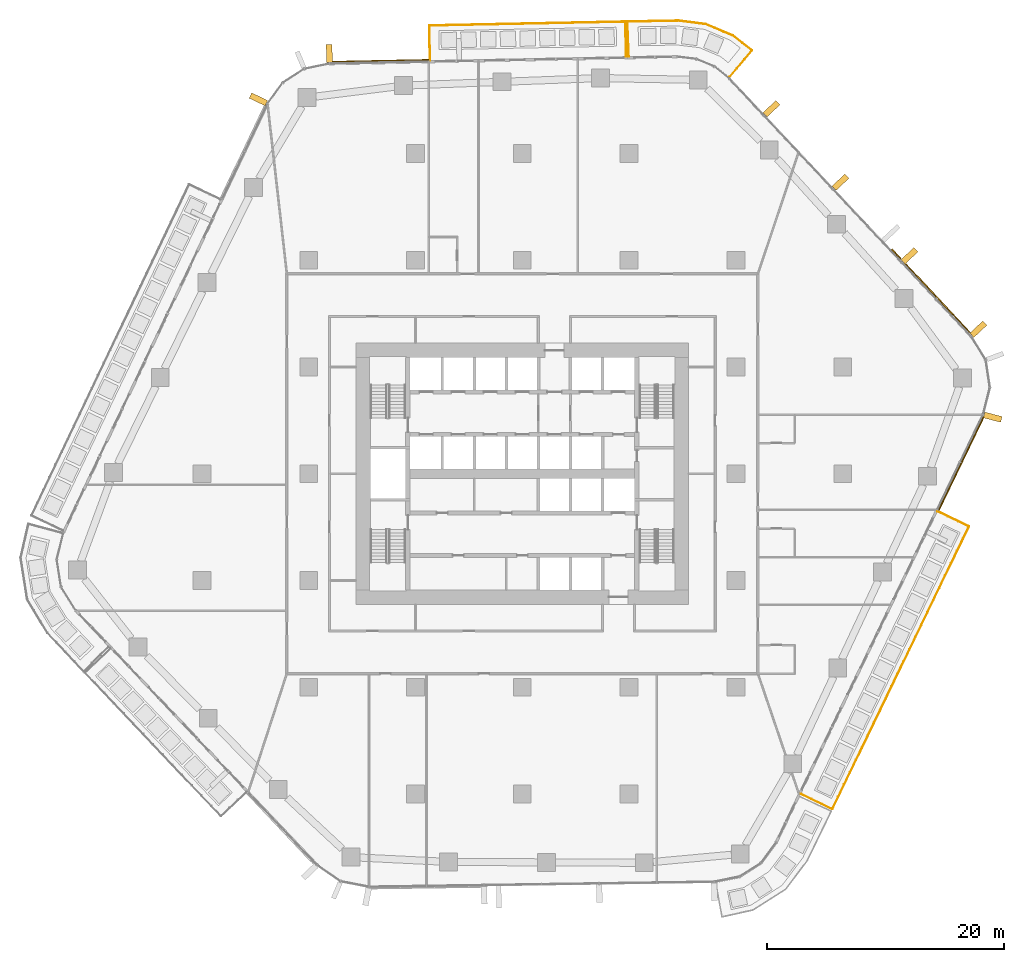
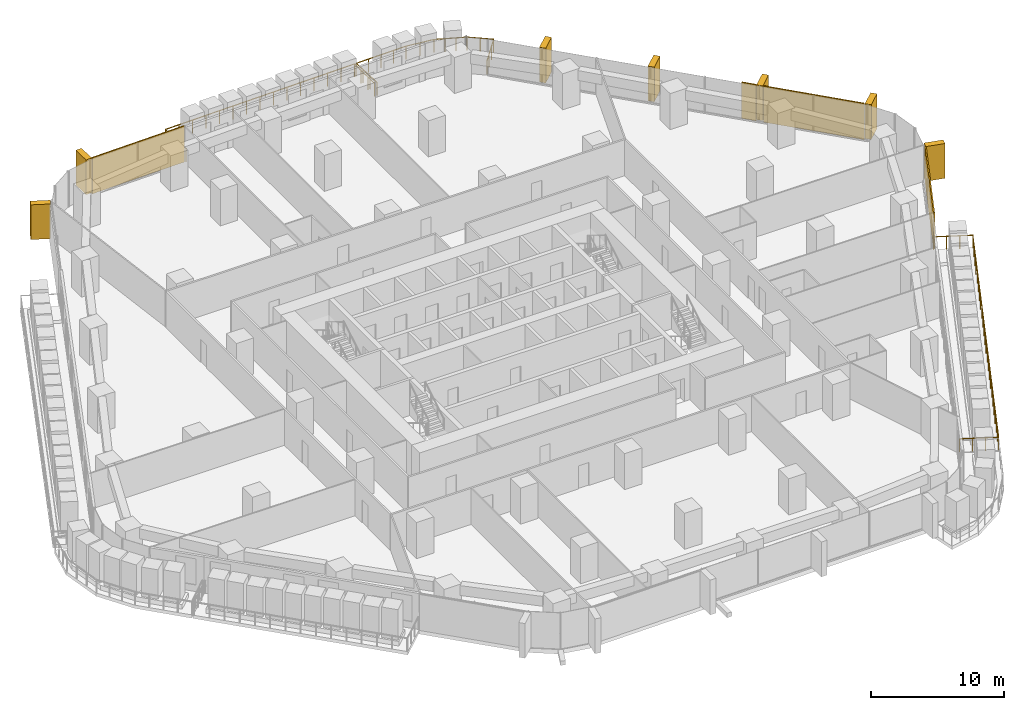
# One storey, part 24 of 24: 11 coverings, 3 railings, 5 elements without a shape of their own.
"""IFC4 building model written with IfcOpenShell, lengths in metres."""

import ifcopenshell
import ifcopenshell.guid

model = None  # the IFC model being written
_history = None  # IfcOwnerHistory: only IFC2X3 demands one
_inside = {}  # id of a spatial element -> (the spatial element, [elements in it])
_under = {}  # id of a project, library or spatial element -> (it, [spatial elements below it])
_declared = {}  # id of a project -> (the project, [libraries it declares])
_typed = {}  # id of a type object -> (the type object, [elements of that type])
_made_of = {}  # id of a material, layer set ... -> (it, [elements and type objects made of it])


def new_model(schema):
    """Start an empty IFC model of exactly this schema.

    Asked for "IFC4X3", IfcOpenShell would pick the latest addendum, in which some entities
    have other attributes; the version numbers below select the first issue.
    IFC2X3 requires an IfcOwnerHistory on every rooted entity: one is made here for all.
    """
    global model, _history
    if schema == "IFC4X3":
        model = ifcopenshell.file(schema_version=(4, 3, 0, 0))
    else:
        model = ifcopenshell.file(schema=schema)
    _inside.clear()
    _under.clear()
    _declared.clear()
    _typed.clear()
    _made_of.clear()
    _history = None
    if model.schema == "IFC2X3":
        org = make("IfcOrganization", Name="unknown")
        user = make(
            "IfcPersonAndOrganization",
            ThePerson=make("IfcPerson", FamilyName="unknown"),
            TheOrganization=org,
        )
        app = make(
            "IfcApplication",
            ApplicationDeveloper=org,
            Version="unknown",
            ApplicationFullName="unknown",
            ApplicationIdentifier="unknown",
        )
        _history = make(
            "IfcOwnerHistory",
            OwningUser=user,
            OwningApplication=app,
            ChangeAction="ADDED",
            CreationDate=0,
        )
    return model


def make(cls, **values):
    """One entity of the class cls with the attributes given. An attribute that is None is left unset."""
    return model.create_entity(
        cls, **{name: value for name, value in values.items() if value is not None}
    )


def rooted(cls, **values):
    """An entity with a GlobalId (a new one), such as an element, a storey or a relation."""
    return make(cls, GlobalId=ifcopenshell.guid.new(), OwnerHistory=_history, **values)


def si_unit(unit_type, name, prefix=None):
    """IfcSIUnit, for example si_unit("LENGTHUNIT", "METRE", prefix="MILLI")."""
    return make("IfcSIUnit", UnitType=unit_type, Prefix=prefix, Name=name)


def assignment(units):
    """IfcUnitAssignment: the units of a project."""
    return None if units is None else make("IfcUnitAssignment", Units=units)


def point(xyz):
    """IfcCartesianPoint."""
    return None if xyz is None else make("IfcCartesianPoint", Coordinates=xyz)


def direction(xyz):
    """IfcDirection."""
    return None if xyz is None else make("IfcDirection", DirectionRatios=xyz)


def frame(location, z_axis=None, x_axis=None):
    """IfcAxis2Placement3D, a coordinate frame: its origin and axes. An axis left out is left unset."""
    return make(
        "IfcAxis2Placement3D",
        Location=point(location),
        Axis=direction(z_axis),
        RefDirection=direction(x_axis),
    )


def frame_2d(location, x_axis=None):
    """IfcAxis2Placement2D, a coordinate frame in the plane: its origin and x axis."""
    return make(
        "IfcAxis2Placement2D", Location=point(location), RefDirection=direction(x_axis)
    )


def origin():
    """The frame at (0, 0, 0) with its axes left unset."""
    return frame((0.0, 0.0, 0.0))


def origin_2d():
    """The frame at (0, 0) in the plane with its x axis left unset."""
    return frame_2d((0.0, 0.0))


def place(relative_to, where):
    """IfcLocalPlacement: puts the frame where relative to a parent placement (None: the world)."""
    return make(
        "IfcLocalPlacement", PlacementRelTo=relative_to, RelativePlacement=where
    )


def context(
    kind, dimensions, precision=None, world=None, true_north=None, identifier=None
):
    """IfcGeometricRepresentationContext, for example the 3D "Model" context."""
    return make(
        "IfcGeometricRepresentationContext",
        ContextIdentifier=identifier,
        ContextType=kind,
        CoordinateSpaceDimension=dimensions,
        Precision=precision,
        WorldCoordinateSystem=world,
        TrueNorth=true_north,
    )


def subcontext(parent, identifier, kind, view, scale=None):
    """IfcGeometricRepresentationSubContext, for example "Body" below "Model"."""
    return make(
        "IfcGeometricRepresentationSubContext",
        ContextIdentifier=identifier,
        ContextType=kind,
        ParentContext=parent,
        TargetScale=scale,
        TargetView=view,
    )


def project(units=None, contexts=None):
    """IfcProject with its units and contexts."""
    return rooted(
        "IfcProject",
        Name="project",
        RepresentationContexts=contexts,
        UnitsInContext=assignment(units),
    )


def spatial(cls, under=None, at=None, **own):
    """A site, building, storey or space (cls), placed at a placement, below another one or the project."""
    s = rooted(cls, ObjectPlacement=at, **own)
    if under is not None:
        _under.setdefault(under.id(), (under, []))[1].append(s)
    return s


def profile(cls, at=None, kind="AREA", **sizes):
    """A parametric profile (cls). Its sizes go by their IFC names, for example OverallWidth=200.0."""
    return make(cls, ProfileType=kind, Position=at, **sizes)


def rectangle(**sizes):
    """IfcRectangleProfileDef."""
    return profile("IfcRectangleProfileDef", **sizes)


def circle(**sizes):
    """IfcCircleProfileDef."""
    return profile("IfcCircleProfileDef", **sizes)


def extrude(swept, where, along, depth):
    """IfcExtrudedAreaSolid: the profile swept, set in the frame where, extruded along a direction by depth."""
    return make(
        "IfcExtrudedAreaSolid",
        SweptArea=swept,
        Position=where,
        ExtrudedDirection=direction(along),
        Depth=depth,
    )


def shape(context_of_items, identifier, shape_type, items):
    """IfcShapeRepresentation: the items that make up one representation, for example the "Body"."""
    return make(
        "IfcShapeRepresentation",
        ContextOfItems=context_of_items,
        RepresentationIdentifier=identifier,
        RepresentationType=shape_type,
        Items=items,
    )


def material(Name=None, Category=None):
    """IfcMaterial."""
    return make("IfcMaterial", Name=Name, Category=Category)


def layer(
    of_material, thickness, ventilated=None, Name=None, Category=None, Priority=None
):
    """IfcMaterialLayer: one layer of a wall or slab, of a material (None: an air gap)."""
    return make(
        "IfcMaterialLayer",
        Material=of_material,
        LayerThickness=thickness,
        IsVentilated=ventilated,
        Name=Name,
        Category=Category,
        Priority=Priority,
    )


def layer_set(layers, Name=None):
    """IfcMaterialLayerSet."""
    return make("IfcMaterialLayerSet", MaterialLayers=layers, LayerSetName=Name)


def material_profile(
    of_material, cross_section, Name=None, Category=None, Priority=None
):
    """IfcMaterialProfile: a cross section and its material."""
    return make(
        "IfcMaterialProfile",
        Name=Name,
        Material=of_material,
        Profile=cross_section,
        Priority=Priority,
        Category=Category,
    )


def profile_set(profiles, Name=None, composite=None):
    """IfcMaterialProfileSet."""
    return make(
        "IfcMaterialProfileSet",
        Name=Name,
        MaterialProfiles=profiles,
        CompositeProfile=composite,
    )


def made_of(thing, what):
    """Note that an element or type object is made of a material, layer set ...; save() writes the relation."""
    if what is not None:
        _made_of.setdefault(what.id(), (what, []))[1].append(thing)
    return thing


def type_object(cls, material=None, **own):
    """A type object (cls), such as IfcWallType, which elements share."""
    return made_of(rooted(cls, **own), material)


def element(
    cls,
    number,
    at=None,
    inside=None,
    cuts=None,
    type_object=None,
    material=None,
    context=None,
    identifier="Body",
    shape_type=None,
    held_by="IfcProductDefinitionShape",
    body=None,
    shapes=None,
    **own,
):
    """One element of the class cls, such as IfcWall. Its Tag is "e" and its number.

    at: its placement. inside: the storey or other place that contains it. cuts: it is an
    opening in that element (IfcRelVoidsElement). A single representation is given by context,
    identifier, shape_type and body (its items); several are given by shapes. held_by: the class
    of the entity that holds the representations. save() writes the other relations.
    """
    e = rooted(cls, Tag="e%d" % number, ObjectPlacement=at, **own)
    if body is not None:
        shapes = [shape(context, identifier, shape_type, body)]
    if shapes is not None:
        e.Representation = make(held_by, Representations=shapes)
    if inside is not None:
        _inside.setdefault(inside.id(), (inside, []))[1].append(e)
    if cuts is not None:
        rooted(
            "IfcRelVoidsElement", RelatingBuildingElement=cuts, RelatedOpeningElement=e
        )
    if type_object is not None:
        _typed.setdefault(type_object.id(), (type_object, []))[1].append(e)
    return made_of(e, material)


def aggregate(whole, parts):
    """IfcRelAggregates: a whole, such as a stair, and the parts it consists of."""
    return rooted("IfcRelAggregates", RelatingObject=whole, RelatedObjects=parts)


def save(model, path):
    """Write the relations noted so far, then the file.

    IfcRelAggregates (storeys below a building ...), IfcRelContainedInSpatialStructure (elements
    in a storey), IfcRelDefinesByType, IfcRelAssociatesMaterial and IfcRelDeclares: one each for
    every whole, place, type object, material and project.
    """
    for whole, parts in _under.values():
        aggregate(whole, parts)
    for where, things in _inside.values():
        rooted(
            "IfcRelContainedInSpatialStructure",
            RelatedElements=things,
            RelatingStructure=where,
        )
    for kind, things in _typed.values():
        rooted("IfcRelDefinesByType", RelatedObjects=things, RelatingType=kind)
    for what, things in _made_of.values():
        rooted("IfcRelAssociatesMaterial", RelatedObjects=things, RelatingMaterial=what)
    for by, libraries in _declared.values():
        rooted("IfcRelDeclares", RelatingContext=by, RelatedDefinitions=libraries)
    model.write(path)


model = new_model("IFC4")

# Units and contexts
model_context = context("Model", 3, precision=1e-05, world=origin(), true_north=direction((0.0, 1.0)))
body_context = subcontext(model_context, "Body", "Model", "MODEL_VIEW")
ifc_project = project(units=[si_unit("LENGTHUNIT", "METRE"), si_unit("AREAUNIT", "SQUARE_METRE"), si_unit("VOLUMEUNIT", "CUBIC_METRE"), si_unit("PLANEANGLEUNIT", "RADIAN"), si_unit("MASSUNIT", "GRAM", prefix="KILO")], contexts=[model_context])

# Site, building, storey
site_placement = place(None, origin())
site = spatial("IfcSite", under=ifc_project, at=site_placement, CompositionType="ELEMENT")
building_placement = place(site_placement, origin())
building = spatial("IfcBuilding", under=site, at=building_placement, Name="Dongbaek Canopy Tower", CompositionType="ELEMENT")
storey_placement = place(building_placement, frame((0.0, 0.0, 47.699951171875)))
storey = spatial("IfcBuildingStorey", under=building, at=storey_placement, Name="L07", CompositionType="ELEMENT", Elevation=47.699951171875)

# Railings
ifc_material_1 = material(Name="Stainless steel", Category="steel")
railing_type = type_object("IfcRailingType", Name="Balcony balustrade 1200", PredefinedType="BALUSTRADE", material=ifc_material_1)
railing_1_placement = place(storey_placement, frame((8.749755859375, 35.16064453125, 0.0)))
element("IfcRailing", 1, at=railing_1_placement, inside=storey, type_object=railing_type, Name="Balcony guard L07 1", PredefinedType="BALUSTRADE", context=body_context, shape_type="SweptSolid", body=[
    extrude(circle(Radius=0.02392578125, at=origin_2d()), frame((0.0, 0.0, 1.17578125), z_axis=(-0.019931250494, 0.999801352897, 0.0), x_axis=(-0.999801352897, -0.019931250494, 0.0)), (0.0, 0.0, 1.0), 2.939697265625),
    extrude(circle(Radius=0.02392578125, at=origin_2d()), frame((-0.05859375, 2.939208984375, 1.17578125), z_axis=(-0.99980155692, -0.019921013534, 0.0), x_axis=(0.019921013534, -0.99980155692, 0.0)), (0.0, 0.0, 1.0), 16.532470703125),
    extrude(circle(Radius=0.02392578125, at=origin_2d()), frame((-16.587890625, 2.60986328125, 1.17578125), z_axis=(0.019929595732, -0.999801385883, 0.0), x_axis=(0.999801385883, 0.019929595732, 0.0)), (0.0, 0.0, 1.0), 2.93994140625),
    extrude(circle(Radius=0.02099609375, at=origin_2d()), origin(), (0.0, 0.0, 1.0), 1.15185546875),
    extrude(circle(Radius=0.02099609375, at=origin_2d()), frame((-0.01953125, 0.979736328125, 0.0)), (0.0, 0.0, 1.0), 1.15185546875),
    extrude(circle(Radius=0.02099609375, at=origin_2d()), frame((-0.0390625, 1.95947265625, 0.0)), (0.0, 0.0, 1.0), 1.15185546875),
    extrude(circle(Radius=0.02099609375, at=origin_2d()), frame((-0.05859375, 2.939208984375, 0.0)), (0.0, 0.0, 1.0), 1.15185546875),
    extrude(circle(Radius=0.02099609375, at=origin_2d()), frame((-1.2392578125, 2.915771484375, 0.0)), (0.0, 0.0, 1.0), 1.15185546875),
    extrude(circle(Radius=0.02099609375, at=origin_2d()), frame((-2.419921875, 2.89208984375, 0.0)), (0.0, 0.0, 1.0), 1.15185546875),
    extrude(circle(Radius=0.02099609375, at=origin_2d()), frame((-3.6005859375, 2.86865234375, 0.0)), (0.0, 0.0, 1.0), 1.15185546875),
    extrude(circle(Radius=0.02099609375, at=origin_2d()), frame((-4.78125, 2.84521484375, 0.0)), (0.0, 0.0, 1.0), 1.15185546875),
    extrude(circle(Radius=0.02099609375, at=origin_2d()), frame((-5.9619140625, 2.821533203125, 0.0)), (0.0, 0.0, 1.0), 1.15185546875),
    extrude(circle(Radius=0.02099609375, at=origin_2d()), frame((-7.142578125, 2.798095703125, 0.0)), (0.0, 0.0, 1.0), 1.15185546875),
    extrude(circle(Radius=0.02099609375, at=origin_2d()), frame((-8.3232421875, 2.7744140625, 0.0)), (0.0, 0.0, 1.0), 1.15185546875),
    extrude(circle(Radius=0.02099609375, at=origin_2d()), frame((-9.50390625, 2.7509765625, 0.0)), (0.0, 0.0, 1.0), 1.15185546875),
    extrude(circle(Radius=0.02099609375, at=origin_2d()), frame((-10.6845703125, 2.7275390625, 0.0)), (0.0, 0.0, 1.0), 1.15185546875),
    extrude(circle(Radius=0.02099609375, at=origin_2d()), frame((-11.865234375, 2.703857421875, 0.0)), (0.0, 0.0, 1.0), 1.15185546875),
    extrude(circle(Radius=0.02099609375, at=origin_2d()), frame((-13.0458984375, 2.680419921875, 0.0)), (0.0, 0.0, 1.0), 1.15185546875),
    extrude(circle(Radius=0.02099609375, at=origin_2d()), frame((-14.2265625, 2.656982421875, 0.0)), (0.0, 0.0, 1.0), 1.15185546875),
    extrude(circle(Radius=0.02099609375, at=origin_2d()), frame((-15.4072265625, 2.63330078125, 0.0)), (0.0, 0.0, 1.0), 1.15185546875),
    extrude(circle(Radius=0.02099609375, at=origin_2d()), frame((-16.587890625, 2.60986328125, 0.0)), (0.0, 0.0, 1.0), 1.15185546875),
    extrude(circle(Radius=0.02099609375, at=origin_2d()), frame((-16.568359375, 1.630126953125, 0.0)), (0.0, 0.0, 1.0), 1.15185546875),
    extrude(circle(Radius=0.02099609375, at=origin_2d()), frame((-16.548828125, 0.650146484375, 0.0)), (0.0, 0.0, 1.0), 1.15185546875),
    extrude(circle(Radius=0.02099609375, at=origin_2d()), frame((-16.529296875, -0.32958984375, 0.0)), (0.0, 0.0, 1.0), 1.15185546875),
])
railing_2_placement = place(storey_placement, frame((17.45703125, 33.421142578125, 0.0)))
element("IfcRailing", 2, at=railing_2_placement, inside=storey, type_object=railing_type, Name="Balcony guard L07 5", PredefinedType="BALUSTRADE", context=body_context, shape_type="SweptSolid", body=[
    extrude(circle(Radius=0.02392578125, at=origin_2d()), frame((0.0, 0.0, 1.17578125), z_axis=(0.642907779977, 0.765943592209, 0.0), x_axis=(-0.765943592209, 0.642907779977, 0.0)), (0.0, 0.0, 1.0), 2.940673828125),
    extrude(circle(Radius=0.02392578125, at=origin_2d()), frame((1.890625, 2.25244140625, 1.17578125), z_axis=(-0.787748761322, 0.61599666317, 0.0), x_axis=(-0.61599666317, -0.787748761322, 0.0)), (0.0, 0.0, 1.0), 2.0283203125),
    extrude(circle(Radius=0.02392578125, at=origin_2d()), frame((0.292724609375, 3.501953125, 1.17578125), z_axis=(-0.921559598396, 0.388236920713, 0.0), x_axis=(-0.388236920713, -0.921559598396, 0.0)), (0.0, 0.0, 1.0), 2.487060546875),
    extrude(circle(Radius=0.02392578125, at=origin_2d()), frame((-1.999267578125, 4.467529296875, 1.17578125), z_axis=(-0.991677748115, 0.128744879095, 0.0), x_axis=(-0.128744879095, -0.991677748115, 0.0)), (0.0, 0.0, 1.0), 2.283203125),
    extrude(circle(Radius=0.02392578125, at=origin_2d()), frame((-4.263427734375, 4.761474609375, 1.17578125), z_axis=(-0.999833112969, -0.018268722197, 0.0), x_axis=(0.018268722197, -0.999833112969, 0.0)), (0.0, 0.0, 1.0), 4.34326171875),
    extrude(circle(Radius=0.02392578125, at=origin_2d()), frame((-8.60595703125, 4.68212890625, 1.17578125), z_axis=(0.040349332627, -0.999185634082, 0.0), x_axis=(0.999185634082, 0.040349332627, 0.0)), (0.0, 0.0, 1.0), 2.940673828125),
    extrude(circle(Radius=0.02099609375, at=origin_2d()), origin(), (0.0, 0.0, 1.0), 1.15185546875),
    extrude(circle(Radius=0.02099609375, at=origin_2d()), frame((0.630126953125, 0.750732421875, 0.0)), (0.0, 0.0, 1.0), 1.15185546875),
    extrude(circle(Radius=0.02099609375, at=origin_2d()), frame((1.260498046875, 1.501708984375, 0.0)), (0.0, 0.0, 1.0), 1.15185546875),
    extrude(circle(Radius=0.02099609375, at=origin_2d()), frame((1.890625, 2.25244140625, 0.0)), (0.0, 0.0, 1.0), 1.15185546875),
    extrude(circle(Radius=0.02099609375, at=origin_2d()), frame((1.091796875, 2.877197265625, 0.0)), (0.0, 0.0, 1.0), 1.15185546875),
    extrude(circle(Radius=0.02099609375, at=origin_2d()), frame((0.292724609375, 3.501953125, 0.0)), (0.0, 0.0, 1.0), 1.15185546875),
    extrude(circle(Radius=0.02099609375, at=origin_2d()), frame((-0.47119140625, 3.82373046875, 0.0)), (0.0, 0.0, 1.0), 1.15185546875),
    extrude(circle(Radius=0.02099609375, at=origin_2d()), frame((-1.2353515625, 4.145751953125, 0.0)), (0.0, 0.0, 1.0), 1.15185546875),
    extrude(circle(Radius=0.02099609375, at=origin_2d()), frame((-1.999267578125, 4.467529296875, 0.0)), (0.0, 0.0, 1.0), 1.15185546875),
    extrude(circle(Radius=0.02099609375, at=origin_2d()), frame((-3.13134765625, 4.614501953125, 0.0)), (0.0, 0.0, 1.0), 1.15185546875),
    extrude(circle(Radius=0.02099609375, at=origin_2d()), frame((-4.263427734375, 4.761474609375, 0.0)), (0.0, 0.0, 1.0), 1.15185546875),
    extrude(circle(Radius=0.02099609375, at=origin_2d()), frame((-5.34912109375, 4.74169921875, 0.0)), (0.0, 0.0, 1.0), 1.15185546875),
    extrude(circle(Radius=0.02099609375, at=origin_2d()), frame((-6.4345703125, 4.7216796875, 0.0)), (0.0, 0.0, 1.0), 1.15185546875),
    extrude(circle(Radius=0.02099609375, at=origin_2d()), frame((-7.520263671875, 4.701904296875, 0.0)), (0.0, 0.0, 1.0), 1.15185546875),
    extrude(circle(Radius=0.02099609375, at=origin_2d()), frame((-8.60595703125, 4.68212890625, 0.0)), (0.0, 0.0, 1.0), 1.15185546875),
    extrude(circle(Radius=0.02099609375, at=origin_2d()), frame((-8.56640625, 3.70263671875, 0.0)), (0.0, 0.0, 1.0), 1.15185546875),
    extrude(circle(Radius=0.02099609375, at=origin_2d()), frame((-8.52685546875, 2.723388671875, 0.0)), (0.0, 0.0, 1.0), 1.15185546875),
    extrude(circle(Radius=0.02099609375, at=origin_2d()), frame((-8.4873046875, 1.743896484375, 0.0)), (0.0, 0.0, 1.0), 1.15185546875),
])
railing_3_placement = place(storey_placement, frame((23.4755859375, -26.99560546875, 0.0)))
element("IfcRailing", 3, at=railing_3_placement, inside=storey, type_object=railing_type, Name="Balcony guard L07 4", PredefinedType="BALUSTRADE", context=body_context, shape_type="SweptSolid", body=[
    extrude(circle(Radius=0.02392578125, at=origin_2d()), frame((0.0, 0.0, 1.17578125), z_axis=(0.900293637033, -0.435283088482, 0.0), x_axis=(0.435283088482, 0.900293637033, 0.0)), (0.0, 0.0, 1.0), 2.940185546875),
    extrude(circle(Radius=0.02392578125, at=origin_2d()), frame((2.64697265625, -1.27978515625, 1.17578125), z_axis=(0.435241934157, 0.900313533582, 0.0), x_axis=(-0.900313533582, 0.435241934157, 0.0)), (0.0, 0.0, 1.0), 26.46875),
    extrude(circle(Radius=0.02392578125, at=origin_2d()), frame((14.167236328125, 22.55029296875, 1.17578125), z_axis=(-0.900326176682, 0.435215780482, 0.0), x_axis=(-0.435215780482, -0.900326176682, 0.0)), (0.0, 0.0, 1.0), 2.93994140625),
    extrude(circle(Radius=0.02099609375, at=origin_2d()), origin(), (0.0, 0.0, 1.0), 1.15185546875),
    extrude(circle(Radius=0.02099609375, at=origin_2d()), frame((0.88232421875, -0.426513671875, 0.0)), (0.0, 0.0, 1.0), 1.15185546875),
    extrude(circle(Radius=0.02099609375, at=origin_2d()), frame((1.7646484375, -0.853271484375, 0.0)), (0.0, 0.0, 1.0), 1.15185546875),
    extrude(circle(Radius=0.02099609375, at=origin_2d()), frame((2.64697265625, -1.27978515625, 0.0)), (0.0, 0.0, 1.0), 1.15185546875),
    extrude(circle(Radius=0.02099609375, at=origin_2d()), frame((3.14794921875, -0.24365234375, 0.0)), (0.0, 0.0, 1.0), 1.15185546875),
    extrude(circle(Radius=0.02099609375, at=origin_2d()), frame((3.648681640625, 0.79248046875, 0.0)), (0.0, 0.0, 1.0), 1.15185546875),
    extrude(circle(Radius=0.02099609375, at=origin_2d()), frame((4.149658203125, 1.828369140625, 0.0)), (0.0, 0.0, 1.0), 1.15185546875),
    extrude(circle(Radius=0.02099609375, at=origin_2d()), frame((4.650390625, 2.864501953125, 0.0)), (0.0, 0.0, 1.0), 1.15185546875),
    extrude(circle(Radius=0.02099609375, at=origin_2d()), frame((5.1513671875, 3.900634765625, 0.0)), (0.0, 0.0, 1.0), 1.15185546875),
    extrude(circle(Radius=0.02099609375, at=origin_2d()), frame((5.65234375, 4.936767578125, 0.0)), (0.0, 0.0, 1.0), 1.15185546875),
    extrude(circle(Radius=0.02099609375, at=origin_2d()), frame((6.153076171875, 5.972900390625, 0.0)), (0.0, 0.0, 1.0), 1.15185546875),
    extrude(circle(Radius=0.02099609375, at=origin_2d()), frame((6.654052734375, 7.009033203125, 0.0)), (0.0, 0.0, 1.0), 1.15185546875),
    extrude(circle(Radius=0.02099609375, at=origin_2d()), frame((7.15478515625, 8.044921875, 0.0)), (0.0, 0.0, 1.0), 1.15185546875),
    extrude(circle(Radius=0.02099609375, at=origin_2d()), frame((7.65576171875, 9.0810546875, 0.0)), (0.0, 0.0, 1.0), 1.15185546875),
    extrude(circle(Radius=0.02099609375, at=origin_2d()), frame((8.15673828125, 10.1171875, 0.0)), (0.0, 0.0, 1.0), 1.15185546875),
    extrude(circle(Radius=0.02099609375, at=origin_2d()), frame((8.657470703125, 11.1533203125, 0.0)), (0.0, 0.0, 1.0), 1.15185546875),
    extrude(circle(Radius=0.02099609375, at=origin_2d()), frame((9.158447265625, 12.189453125, 0.0)), (0.0, 0.0, 1.0), 1.15185546875),
    extrude(circle(Radius=0.02099609375, at=origin_2d()), frame((9.659423828125, 13.2255859375, 0.0)), (0.0, 0.0, 1.0), 1.15185546875),
    extrude(circle(Radius=0.02099609375, at=origin_2d()), frame((10.16015625, 14.261474609375, 0.0)), (0.0, 0.0, 1.0), 1.15185546875),
    extrude(circle(Radius=0.02099609375, at=origin_2d()), frame((10.6611328125, 15.297607421875, 0.0)), (0.0, 0.0, 1.0), 1.15185546875),
    extrude(circle(Radius=0.02099609375, at=origin_2d()), frame((11.161865234375, 16.333740234375, 0.0)), (0.0, 0.0, 1.0), 1.15185546875),
    extrude(circle(Radius=0.02099609375, at=origin_2d()), frame((11.662841796875, 17.369873046875, 0.0)), (0.0, 0.0, 1.0), 1.15185546875),
    extrude(circle(Radius=0.02099609375, at=origin_2d()), frame((12.163818359375, 18.406005859375, 0.0)), (0.0, 0.0, 1.0), 1.15185546875),
    extrude(circle(Radius=0.02099609375, at=origin_2d()), frame((12.66455078125, 19.442138671875, 0.0)), (0.0, 0.0, 1.0), 1.15185546875),
    extrude(circle(Radius=0.02099609375, at=origin_2d()), frame((13.16552734375, 20.47802734375, 0.0)), (0.0, 0.0, 1.0), 1.15185546875),
    extrude(circle(Radius=0.02099609375, at=origin_2d()), frame((13.666259765625, 21.51416015625, 0.0)), (0.0, 0.0, 1.0), 1.15185546875),
    extrude(circle(Radius=0.02099609375, at=origin_2d()), frame((14.167236328125, 22.55029296875, 0.0)), (0.0, 0.0, 1.0), 1.15185546875),
    extrude(circle(Radius=0.02099609375, at=origin_2d()), frame((13.284912109375, 22.976806640625, 0.0)), (0.0, 0.0, 1.0), 1.15185546875),
    extrude(circle(Radius=0.02099609375, at=origin_2d()), frame((12.402587890625, 23.4033203125, 0.0)), (0.0, 0.0, 1.0), 1.15185546875),
    extrude(circle(Radius=0.02099609375, at=origin_2d()), frame((11.520263671875, 23.829833984375, 0.0)), (0.0, 0.0, 1.0), 1.15185546875),
])

# Curtain wall, covering
ifc_material_2 = material(Name="Aluminium 6063-T6 pale anodised", Category="aluminium")
ifc_layer_1 = layer(ifc_material_2, 0.199951171875)
ifc_layer_set_1 = layer_set([ifc_layer_1], Name="CW-1 unitised tower curtain wall")
curtain_wall_type = type_object("IfcCurtainWallType", Name="CW-1 unitised tower curtain wall", PredefinedType="NOTDEFINED", material=ifc_layer_set_1)
curtain_wall_1_placement = place(storey_placement, origin())
curtain_wall_1 = element("IfcCurtainWall", 4, at=curtain_wall_1_placement, inside=storey, type_object=curtain_wall_type, Name="CW-1 curtain wall F5.1", PredefinedType="NOTDEFINED")
ifc_material_3 = material(Name="Perforated aluminium 6063-T6 pale metal screen", Category="aluminium")
ifc_layer_2 = layer(ifc_material_3, 0.10009765625)
ifc_layer_set_2 = layer_set([ifc_layer_2], Name="Facet screen FS1 100 pale metal")
covering_type_1 = type_object("IfcCoveringType", Name="Facet screen FS1 100 pale metal", PredefinedType="CLADDING", material=ifc_layer_set_2)
covering_1_placement = place(storey_placement, frame((36.992919921875, 0.859130859375, 0.0), z_axis=(0.0, 0.0, 1.0), x_axis=(0.435245241493, 0.900311934697, 0.0)))
covering_1 = element("IfcCovering", 5, at=covering_1_placement, type_object=covering_type_1, Name="Facet screen L07 F5", PredefinedType="CLADDING", context=body_context, shape_type="SweptSolid", body=[
    extrude(rectangle(XDim=8.765380859375, YDim=0.10009765625, at=origin_2d()), origin(), (0.0, 0.0, 1.0), 3.300048828125),
])
aggregate(curtain_wall_1, [covering_1])

# Curtain wall, coverings
curtain_wall_2_placement = place(storey_placement, origin())
curtain_wall_2 = element("IfcCurtainWall", 6, at=curtain_wall_2_placement, inside=storey, type_object=curtain_wall_type, Name="CW-1 curtain wall F0.1", PredefinedType="NOTDEFINED")
covering_2_placement = place(storey_placement, frame((35.013427734375, 14.793212890625, 0.0), z_axis=(0.0, 0.0, 1.0), x_axis=(-0.684120771704, 0.729368747427, 0.0)))
covering_2 = element("IfcCovering", 7, at=covering_2_placement, type_object=covering_type_1, Name="Facet screen L07 F0", PredefinedType="CLADDING", context=body_context, shape_type="SweptSolid", body=[
    extrude(rectangle(XDim=7.90771484375, YDim=0.10009765625, at=origin_2d()), origin(), (0.0, 0.0, 1.0), 3.300048828125),
])
covering_3_placement = place(storey_placement, frame((31.529296875, 18.5078125, 0.0), z_axis=(0.0, 0.0, 1.0), x_axis=(-0.684120771704, 0.729368747427, 0.0)))
covering_3 = element("IfcCovering", 8, at=covering_3_placement, type_object=covering_type_1, Name="Facet screen L07 F0", PredefinedType="CLADDING", context=body_context, shape_type="SweptSolid", body=[
    extrude(rectangle(XDim=1.118408203125, YDim=0.10009765625, at=origin_2d()), origin(), (0.0, 0.0, 1.0), 3.300048828125),
])

# Curtain wall, covering
curtain_wall_3_placement = place(storey_placement, origin())
curtain_wall_3 = element("IfcCurtainWall", 9, at=curtain_wall_3_placement, inside=storey, type_object=curtain_wall_type, Name="CW-1 curtain wall F1.1", PredefinedType="NOTDEFINED")
covering_4_placement = place(storey_placement, frame((-11.92822265625, 34.79443359375, 0.0), z_axis=(0.0, 0.0, 1.0), x_axis=(-0.999801475381, -0.019925105424, 0.0)))
covering_4 = element("IfcCovering", 10, at=covering_4_placement, type_object=covering_type_1, Name="Facet screen L07 F1", PredefinedType="CLADDING", context=body_context, shape_type="SweptSolid", body=[
    extrude(rectangle(XDim=8.0771484375, YDim=0.10009765625, at=origin_2d()), origin(), (0.0, 0.0, 1.0), 3.300048828125),
])

curtain_wall_4_placement = place(storey_placement, origin())
curtain_wall_4 = element("IfcCurtainWall", 11, at=curtain_wall_4_placement, inside=storey, type_object=curtain_wall_type, Name="CW-1 curtain wall K0.1", PredefinedType="NOTDEFINED")
ifc_material_4 = material(Name="Aluminium 6063-T6 pale metal fin", Category="aluminium")
ifc_material_profile = material_profile(ifc_material_4, rectangle(XDim=1.5, YDim=0.5, at=origin_2d()), Name="Fin FN1 500 x 1500 pale metal")
ifc_profile_set = profile_set([ifc_material_profile], Name="Aluminium 6063-T6 pale metal fin")
covering_type_2 = type_object("IfcCoveringType", Name="Fin FN1 500 x 1500 pale metal", PredefinedType="CLADDING", material=ifc_profile_set)
covering_5_placement = place(storey_placement, frame((39.64501953125, 4.76708984375, 0.1201171875), z_axis=(0.0, 0.0, 1.0), x_axis=(0.968988452796, -0.247106006298, 0.0)))
covering_5 = element("IfcCovering", 12, at=covering_5_placement, type_object=covering_type_2, Name="Fin K0.1.1", PredefinedType="CLADDING", context=body_context, shape_type="SweptSolid", body=[
    extrude(rectangle(XDim=1.5, YDim=0.5, at=origin_2d()), origin(), (0.0, 0.0, 1.0), 3.179931640625),
])
aggregate(curtain_wall_4, [covering_5])

# Covering
covering_6_placement = place(storey_placement, frame((38.43017578125, 12.179443359375, 0.1201171875), z_axis=(0.0, 0.0, 1.0), x_axis=(0.729369243815, 0.684120242484, 0.0)))
covering_6 = element("IfcCovering", 13, at=covering_6_placement, type_object=covering_type_2, Name="Fin F0.1.1", PredefinedType="CLADDING", context=body_context, shape_type="SweptSolid", body=[
    extrude(rectangle(XDim=1.5, YDim=0.5, at=origin_2d()), origin(), (0.0, 0.0, 1.0), 3.179931640625),
])

covering_7_placement = place(storey_placement, frame((32.62353515625, 18.3701171875, 0.1201171875), z_axis=(0.0, 0.0, 1.0), x_axis=(0.729369243815, 0.684120242484, 0.0)))
covering_7 = element("IfcCovering", 14, at=covering_7_placement, type_object=covering_type_2, Name="Fin F0.1.3", PredefinedType="CLADDING", context=body_context, shape_type="SweptSolid", body=[
    extrude(rectangle(XDim=1.5, YDim=0.5, at=origin_2d()), origin(), (0.0, 0.0, 1.0), 3.179931640625),
])

covering_8_placement = place(storey_placement, frame((26.81005859375, 24.568115234375, 0.1201171875), z_axis=(0.0, 0.0, 1.0), x_axis=(0.729369243815, 0.684120242484, 0.0)))
covering_8 = element("IfcCovering", 15, at=covering_8_placement, type_object=covering_type_2, Name="Fin F0.1.5", PredefinedType="CLADDING", context=body_context, shape_type="SweptSolid", body=[
    extrude(rectangle(XDim=1.5, YDim=0.5, at=origin_2d()), origin(), (0.0, 0.0, 1.0), 3.179931640625),
])

covering_9_placement = place(storey_placement, frame((20.99658203125, 30.76611328125, 0.1201171875), z_axis=(0.0, 0.0, 1.0), x_axis=(0.729369243815, 0.684120242484, 0.0)))
covering_9 = element("IfcCovering", 16, at=covering_9_placement, type_object=covering_type_2, Name="Fin F0.1.7", PredefinedType="CLADDING", context=body_context, shape_type="SweptSolid", body=[
    extrude(rectangle(XDim=1.5, YDim=0.5, at=origin_2d()), origin(), (0.0, 0.0, 1.0), 3.179931640625),
])

aggregate(curtain_wall_2, [covering_6, covering_7, covering_8, covering_9, covering_2, covering_3])

covering_10_placement = place(storey_placement, frame((-16.27001953125, 35.412109375, 0.1201171875), z_axis=(0.0, 0.0, 1.0), x_axis=(-0.019925757664, 0.999801462382, 0.0)))
covering_10 = element("IfcCovering", 17, at=covering_10_placement, type_object=covering_type_2, Name="Fin F1.1.3", PredefinedType="CLADDING", context=body_context, shape_type="SweptSolid", body=[
    extrude(rectangle(XDim=1.5, YDim=0.5, at=origin_2d()), origin(), (0.0, 0.0, 1.0), 3.179931640625),
])

aggregate(curtain_wall_3, [covering_10, covering_4])

# Curtain wall, covering
curtain_wall_5_placement = place(storey_placement, origin())
curtain_wall_5 = element("IfcCurtainWall", 18, at=curtain_wall_5_placement, inside=storey, type_object=curtain_wall_type, Name="CW-1 curtain wall F2.1", PredefinedType="NOTDEFINED")
covering_11_placement = place(storey_placement, frame((-22.243408203125, 31.555908203125, 0.1201171875), z_axis=(0.0, 0.0, 1.0), x_axis=(-0.902928815129, 0.429790128796, 0.0)))
covering_11 = element("IfcCovering", 19, at=covering_11_placement, type_object=covering_type_2, Name="Fin F2.1.1", PredefinedType="CLADDING", context=body_context, shape_type="SweptSolid", body=[
    extrude(rectangle(XDim=1.5, YDim=0.5, at=origin_2d()), origin(), (0.0, 0.0, 1.0), 3.179931640625),
])
aggregate(curtain_wall_5, [covering_11])

save(model, "model.ifc")
